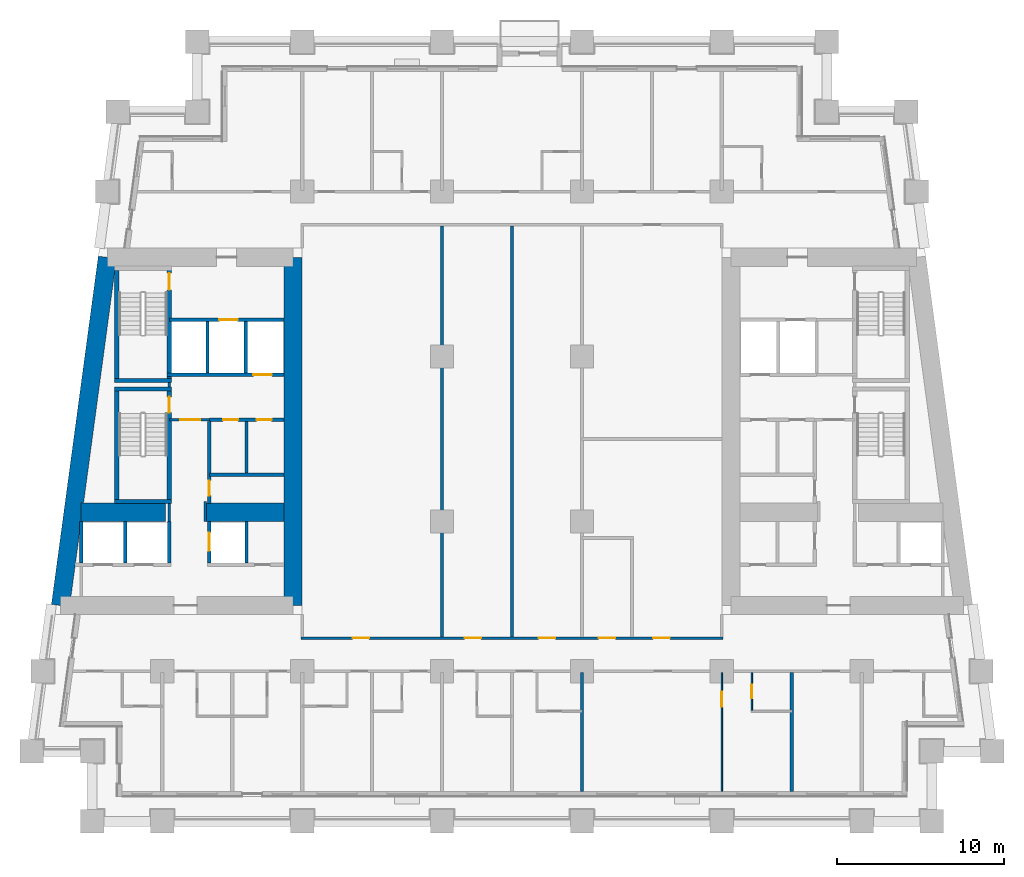
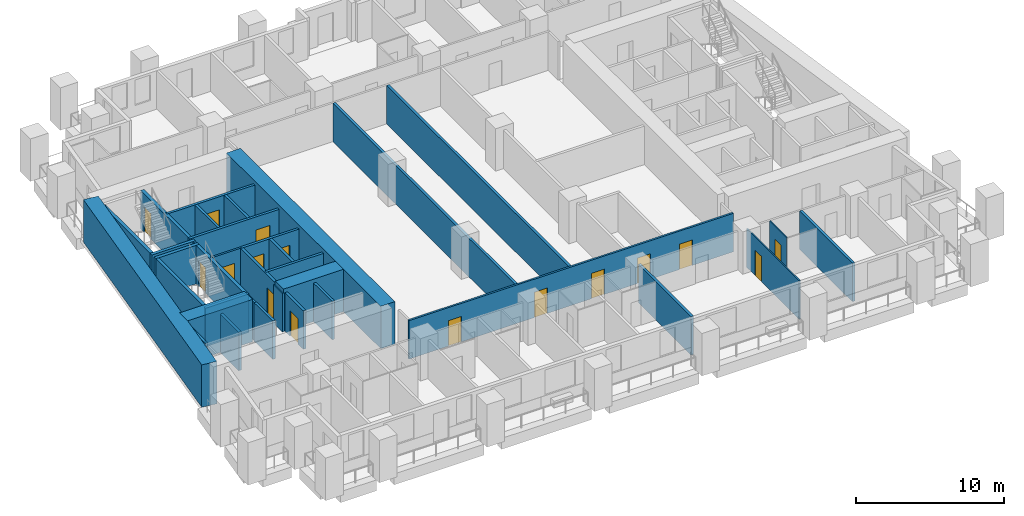
# One storey, part 4 of 13: 35 walls, 16 doors, 16 openings.
"""IFC4 building model written with IfcOpenShell, lengths in metres."""

import ifcopenshell
import ifcopenshell.guid

model = None  # the IFC model being written
_history = None  # IfcOwnerHistory: only IFC2X3 demands one
_inside = {}  # id of a spatial element -> (the spatial element, [elements in it])
_under = {}  # id of a project, library or spatial element -> (it, [spatial elements below it])
_declared = {}  # id of a project -> (the project, [libraries it declares])
_typed = {}  # id of a type object -> (the type object, [elements of that type])
_made_of = {}  # id of a material, layer set ... -> (it, [elements and type objects made of it])


def new_model(schema):
    """Start an empty IFC model of exactly this schema.

    Asked for "IFC4X3", IfcOpenShell would pick the latest addendum, in which some entities
    have other attributes; the version numbers below select the first issue.
    IFC2X3 requires an IfcOwnerHistory on every rooted entity: one is made here for all.
    """
    global model, _history
    if schema == "IFC4X3":
        model = ifcopenshell.file(schema_version=(4, 3, 0, 0))
    else:
        model = ifcopenshell.file(schema=schema)
    _inside.clear()
    _under.clear()
    _declared.clear()
    _typed.clear()
    _made_of.clear()
    _history = None
    if model.schema == "IFC2X3":
        org = make("IfcOrganization", Name="unknown")
        user = make(
            "IfcPersonAndOrganization",
            ThePerson=make("IfcPerson", FamilyName="unknown"),
            TheOrganization=org,
        )
        app = make(
            "IfcApplication",
            ApplicationDeveloper=org,
            Version="unknown",
            ApplicationFullName="unknown",
            ApplicationIdentifier="unknown",
        )
        _history = make(
            "IfcOwnerHistory",
            OwningUser=user,
            OwningApplication=app,
            ChangeAction="ADDED",
            CreationDate=0,
        )
    return model


def make(cls, **values):
    """One entity of the class cls with the attributes given. An attribute that is None is left unset."""
    return model.create_entity(
        cls, **{name: value for name, value in values.items() if value is not None}
    )


def rooted(cls, **values):
    """An entity with a GlobalId (a new one), such as an element, a storey or a relation."""
    return make(cls, GlobalId=ifcopenshell.guid.new(), OwnerHistory=_history, **values)


def si_unit(unit_type, name, prefix=None):
    """IfcSIUnit, for example si_unit("LENGTHUNIT", "METRE", prefix="MILLI")."""
    return make("IfcSIUnit", UnitType=unit_type, Prefix=prefix, Name=name)


def assignment(units):
    """IfcUnitAssignment: the units of a project."""
    return None if units is None else make("IfcUnitAssignment", Units=units)


def point(xyz):
    """IfcCartesianPoint."""
    return None if xyz is None else make("IfcCartesianPoint", Coordinates=xyz)


def direction(xyz):
    """IfcDirection."""
    return None if xyz is None else make("IfcDirection", DirectionRatios=xyz)


def frame(location, z_axis=None, x_axis=None):
    """IfcAxis2Placement3D, a coordinate frame: its origin and axes. An axis left out is left unset."""
    return make(
        "IfcAxis2Placement3D",
        Location=point(location),
        Axis=direction(z_axis),
        RefDirection=direction(x_axis),
    )


def frame_2d(location, x_axis=None):
    """IfcAxis2Placement2D, a coordinate frame in the plane: its origin and x axis."""
    return make(
        "IfcAxis2Placement2D", Location=point(location), RefDirection=direction(x_axis)
    )


def origin():
    """The frame at (0, 0, 0) with its axes left unset."""
    return frame((0.0, 0.0, 0.0))


def place(relative_to, where):
    """IfcLocalPlacement: puts the frame where relative to a parent placement (None: the world)."""
    return make(
        "IfcLocalPlacement", PlacementRelTo=relative_to, RelativePlacement=where
    )


def context(
    kind, dimensions, precision=None, world=None, true_north=None, identifier=None
):
    """IfcGeometricRepresentationContext, for example the 3D "Model" context."""
    return make(
        "IfcGeometricRepresentationContext",
        ContextIdentifier=identifier,
        ContextType=kind,
        CoordinateSpaceDimension=dimensions,
        Precision=precision,
        WorldCoordinateSystem=world,
        TrueNorth=true_north,
    )


def subcontext(parent, identifier, kind, view, scale=None):
    """IfcGeometricRepresentationSubContext, for example "Body" below "Model"."""
    return make(
        "IfcGeometricRepresentationSubContext",
        ContextIdentifier=identifier,
        ContextType=kind,
        ParentContext=parent,
        TargetScale=scale,
        TargetView=view,
    )


def project(units=None, contexts=None):
    """IfcProject with its units and contexts."""
    return rooted(
        "IfcProject",
        Name="project",
        RepresentationContexts=contexts,
        UnitsInContext=assignment(units),
    )


def spatial(cls, under=None, at=None, **own):
    """A site, building, storey or space (cls), placed at a placement, below another one or the project."""
    s = rooted(cls, ObjectPlacement=at, **own)
    if under is not None:
        _under.setdefault(under.id(), (under, []))[1].append(s)
    return s


def profile(cls, at=None, kind="AREA", **sizes):
    """A parametric profile (cls). Its sizes go by their IFC names, for example OverallWidth=200.0."""
    return make(cls, ProfileType=kind, Position=at, **sizes)


def rectangle(**sizes):
    """IfcRectangleProfileDef."""
    return profile("IfcRectangleProfileDef", **sizes)


def extrude(swept, where, along, depth):
    """IfcExtrudedAreaSolid: the profile swept, set in the frame where, extruded along a direction by depth."""
    return make(
        "IfcExtrudedAreaSolid",
        SweptArea=swept,
        Position=where,
        ExtrudedDirection=direction(along),
        Depth=depth,
    )


def shape(context_of_items, identifier, shape_type, items):
    """IfcShapeRepresentation: the items that make up one representation, for example the "Body"."""
    return make(
        "IfcShapeRepresentation",
        ContextOfItems=context_of_items,
        RepresentationIdentifier=identifier,
        RepresentationType=shape_type,
        Items=items,
    )


def material(Name=None, Category=None):
    """IfcMaterial."""
    return make("IfcMaterial", Name=Name, Category=Category)


def layer(
    of_material, thickness, ventilated=None, Name=None, Category=None, Priority=None
):
    """IfcMaterialLayer: one layer of a wall or slab, of a material (None: an air gap)."""
    return make(
        "IfcMaterialLayer",
        Material=of_material,
        LayerThickness=thickness,
        IsVentilated=ventilated,
        Name=Name,
        Category=Category,
        Priority=Priority,
    )


def layer_set(layers, Name=None):
    """IfcMaterialLayerSet."""
    return make("IfcMaterialLayerSet", MaterialLayers=layers, LayerSetName=Name)


def made_of(thing, what):
    """Note that an element or type object is made of a material, layer set ...; save() writes the relation."""
    if what is not None:
        _made_of.setdefault(what.id(), (what, []))[1].append(thing)
    return thing


def type_object(cls, material=None, **own):
    """A type object (cls), such as IfcWallType, which elements share."""
    return made_of(rooted(cls, **own), material)


def element(
    cls,
    number,
    at=None,
    inside=None,
    cuts=None,
    type_object=None,
    material=None,
    context=None,
    identifier="Body",
    shape_type=None,
    held_by="IfcProductDefinitionShape",
    body=None,
    shapes=None,
    **own,
):
    """One element of the class cls, such as IfcWall. Its Tag is "e" and its number.

    at: its placement. inside: the storey or other place that contains it. cuts: it is an
    opening in that element (IfcRelVoidsElement). A single representation is given by context,
    identifier, shape_type and body (its items); several are given by shapes. held_by: the class
    of the entity that holds the representations. save() writes the other relations.
    """
    e = rooted(cls, Tag="e%d" % number, ObjectPlacement=at, **own)
    if body is not None:
        shapes = [shape(context, identifier, shape_type, body)]
    if shapes is not None:
        e.Representation = make(held_by, Representations=shapes)
    if inside is not None:
        _inside.setdefault(inside.id(), (inside, []))[1].append(e)
    if cuts is not None:
        rooted(
            "IfcRelVoidsElement", RelatingBuildingElement=cuts, RelatedOpeningElement=e
        )
    if type_object is not None:
        _typed.setdefault(type_object.id(), (type_object, []))[1].append(e)
    return made_of(e, material)


def fill(opening, filler):
    """IfcRelFillsElement: the door or window that sits in an opening."""
    return rooted(
        "IfcRelFillsElement",
        RelatingOpeningElement=opening,
        RelatedBuildingElement=filler,
    )


def aggregate(whole, parts):
    """IfcRelAggregates: a whole, such as a stair, and the parts it consists of."""
    return rooted("IfcRelAggregates", RelatingObject=whole, RelatedObjects=parts)


def save(model, path):
    """Write the relations noted so far, then the file.

    IfcRelAggregates (storeys below a building ...), IfcRelContainedInSpatialStructure (elements
    in a storey), IfcRelDefinesByType, IfcRelAssociatesMaterial and IfcRelDeclares: one each for
    every whole, place, type object, material and project.
    """
    for whole, parts in _under.values():
        aggregate(whole, parts)
    for where, things in _inside.values():
        rooted(
            "IfcRelContainedInSpatialStructure",
            RelatedElements=things,
            RelatingStructure=where,
        )
    for kind, things in _typed.values():
        rooted("IfcRelDefinesByType", RelatedObjects=things, RelatingType=kind)
    for what, things in _made_of.values():
        rooted("IfcRelAssociatesMaterial", RelatedObjects=things, RelatingMaterial=what)
    for by, libraries in _declared.values():
        rooted("IfcRelDeclares", RelatingContext=by, RelatedDefinitions=libraries)
    model.write(path)


model = new_model("IFC4")

# Units and contexts
model_context = context("Model", 3, precision=1e-05, world=origin(), true_north=direction((0.0, 1.0)))
body_context = subcontext(model_context, "Body", "Model", "MODEL_VIEW")
ifc_project = project(units=[si_unit("LENGTHUNIT", "METRE"), si_unit("AREAUNIT", "SQUARE_METRE"), si_unit("VOLUMEUNIT", "CUBIC_METRE"), si_unit("PLANEANGLEUNIT", "RADIAN"), si_unit("MASSUNIT", "GRAM", prefix="KILO")], contexts=[model_context])

# Site, building, storey
site_placement = place(None, origin())
site = spatial("IfcSite", under=ifc_project, at=site_placement, CompositionType="ELEMENT")
building_placement = place(site_placement, origin())
building = spatial("IfcBuilding", under=site, at=building_placement, Name="Candeia Pilgrim Tower and Theatre", CompositionType="ELEMENT")
storey_placement = place(building_placement, frame((0.0, 0.0, 70.5)))
storey = spatial("IfcBuildingStorey", under=building, at=storey_placement, Name="L15", CompositionType="ELEMENT", Elevation=70.5)

# Walls
ifc_material_1 = material(Name="Concrete C80/95", Category="concrete")
ifc_layer_1 = layer(ifc_material_1, 1.10009765625)
ifc_layer_set_1 = layer_set([ifc_layer_1], Name="Core wall 1100 C80/95")
wall_type_1 = type_object("IfcWallType", Name="Core wall 1100 C80/95", PredefinedType="SHEAR", material=ifc_layer_set_1)
wall_1_placement = place(storey_placement, frame((100.25, 131.85009765625, 0.0), z_axis=(0.0, 0.0, 1.0), x_axis=(0.0, -1.0, 0.0)))
element("IfcWall", 1, at=wall_1_placement, inside=storey, type_object=wall_type_1, Name="Core wall W2", PredefinedType="SHEAR", context=body_context, shape_type="SweptSolid", body=[
    extrude(rectangle(XDim=20.900146484375, YDim=1.10009765625, at=frame_2d((10.4501953125, 0.0))), origin(), (0.0, 0.0, 1.0), 3.5),
])
wall_2_placement = place(storey_placement, frame((86.29833984375, 110.949951171875, 0.0), z_axis=(0.0, 0.0, 1.0), x_axis=(0.133400422634, 0.99106222168, 0.0)))
element("IfcWall", 2, at=wall_2_placement, inside=storey, type_object=wall_type_1, Name="Core wall W4", PredefinedType="SHEAR", context=body_context, shape_type="SweptSolid", body=[
    extrude(rectangle(XDim=21.088623046875, YDim=1.10009765625, at=frame_2d((10.54443359375, 0.0))), origin(), (0.0, 0.0, 1.0), 3.5),
])
wall_3_placement = place(storey_placement, frame((87.523193359375, 116.550048828125, 0.0), z_axis=(0.0, 0.0, 1.0), x_axis=(1.0, 0.0, 0.0)))
element("IfcWall", 3, at=wall_3_placement, inside=storey, type_object=wall_type_1, Name="Core wall W5", PredefinedType="SHEAR", context=body_context, shape_type="SweptSolid", body=[
    extrude(rectangle(XDim=5.076904296875, YDim=1.10009765625, at=frame_2d((2.53857421875, 0.0))), origin(), (0.0, 0.0, 1.0), 3.5),
])
wall_4_placement = place(storey_placement, frame((95.0, 116.550048828125, 0.0), z_axis=(0.0, 0.0, 1.0), x_axis=(1.0, 0.0, 0.0)))
element("IfcWall", 4, at=wall_4_placement, inside=storey, type_object=wall_type_1, Name="Core wall W6", PredefinedType="SHEAR", context=body_context, shape_type="SweptSolid", body=[
    extrude(rectangle(XDim=4.699951171875, YDim=1.10009765625, at=frame_2d((2.35009765625, 0.0))), origin(), (0.0, 0.0, 1.0), 3.5),
])

# Wall, opening, door
ifc_material_2 = material(Name="Gypsum board partition on steel studs", Category="steel")
ifc_layer_2 = layer(ifc_material_2, 0.10009765625)
ifc_layer_set_2 = layer_set([ifc_layer_2], Name="PW-100 room partition")
wall_type_2 = type_object("IfcWallType", Name="PW-100 room partition", PredefinedType="PARTITIONING", material=ifc_layer_set_2)
wall_5_placement = place(storey_placement, frame((126.0, 99.7900390625, 0.0), z_axis=(0.0, 0.0, 1.0), x_axis=(0.0, 1.0, 0.0)))
wall_5 = element("IfcWall", 5, at=wall_5_placement, inside=storey, type_object=wall_type_2, Name="Room partition L15-088", PredefinedType="PARTITIONING", context=body_context, shape_type="SweptSolid", body=[
    extrude(rectangle(XDim=7.135009765625, YDim=0.10009765625, at=frame_2d((3.5673828125, 0.0))), origin(), (0.0, 0.0, 1.0), 3.179931640625),
])
opening_1_placement = place(wall_5_placement, frame((5.074951171875, 0.0, 0.0)))
opening_1 = element("IfcOpeningElement", 6, at=opening_1_placement, cuts=wall_5, Name="Opening L15-D032", PredefinedType="OPENING", context=body_context, shape_type="SweptSolid", body=[
    extrude(rectangle(XDim=0.89990234375, YDim=2.10009765625, at=frame_2d((0.449951171875, 1.050048828125))), frame((0.0, 0.06005859375, 0.0), z_axis=(0.0, -1.0, 0.0), x_axis=(1.0, 0.0, 0.0)), (0.0, 0.0, 1.0), 0.1201171875),
])
ifc_material_3 = material(Name="Timber door leaf", Category="wood")
door_type_1 = type_object("IfcDoorType", Name="D-900", OperationType="NOTDEFINED", PredefinedType="DOOR", material=ifc_material_3)
door_1_placement = place(opening_1_placement, origin())
door_1 = element("IfcDoor", 7, at=door_1_placement, inside=storey, type_object=door_type_1, Name="Door L15-D032", OperationType="SINGLE_SWING_LEFT", OverallHeight=2.10009765625, OverallWidth=0.89990234375, PredefinedType="DOOR", context=body_context, shape_type="SweptSolid", body=[
    extrude(rectangle(XDim=0.89990234375, YDim=2.10009765625, at=frame_2d((0.449951171875, 1.050048828125))), frame((0.0, 0.02490234375, 0.0), z_axis=(0.0, -1.0, 0.0), x_axis=(1.0, 0.0, 0.0)), (0.0, 0.0, 1.0), 0.050048828125),
])
fill(opening_1, door_1)

wall_6_placement = place(storey_placement, frame((127.800048828125, 104.64990234375, 0.0), z_axis=(0.0, 0.0, 1.0), x_axis=(0.0, 1.0, 0.0)))
wall_6 = element("IfcWall", 8, at=wall_6_placement, inside=storey, type_object=wall_type_2, Name="Room partition L15-092", PredefinedType="PARTITIONING", context=body_context, shape_type="SweptSolid", body=[
    extrude(rectangle(XDim=2.275146484375, YDim=0.10009765625, at=frame_2d((1.1376953125, 0.0))), origin(), (0.0, 0.0, 1.0), 3.179931640625),
])
opening_2_placement = place(wall_6_placement, frame((0.75, 0.0, 0.0)))
opening_2 = element("IfcOpeningElement", 9, at=opening_2_placement, cuts=wall_6, Name="Opening L15-D033", PredefinedType="OPENING", context=body_context, shape_type="SweptSolid", body=[
    extrude(rectangle(XDim=0.800048828125, YDim=2.10009765625, at=frame_2d((0.39990234375, 1.050048828125))), frame((0.0, 0.06005859375, 0.0), z_axis=(0.0, -1.0, 0.0), x_axis=(1.0, 0.0, 0.0)), (0.0, 0.0, 1.0), 0.1201171875),
])
door_type_2 = type_object("IfcDoorType", Name="D-800", OperationType="NOTDEFINED", PredefinedType="DOOR", material=ifc_material_3)
door_2_placement = place(opening_2_placement, origin())
door_2 = element("IfcDoor", 10, at=door_2_placement, inside=storey, type_object=door_type_2, Name="Door L15-D033", OperationType="SINGLE_SWING_RIGHT", OverallHeight=2.10009765625, OverallWidth=0.800048828125, PredefinedType="DOOR", context=body_context, shape_type="SweptSolid", body=[
    extrude(rectangle(XDim=0.800048828125, YDim=2.10009765625, at=frame_2d((0.39990234375, 1.050048828125))), frame((0.0, 0.02490234375, 0.0), z_axis=(0.0, -1.0, 0.0), x_axis=(1.0, 0.0, 0.0)), (0.0, 0.0, 1.0), 0.050048828125),
])
fill(opening_2, door_2)

ifc_layer_3 = layer(ifc_material_2, 0.14990234375)
ifc_layer_set_3 = layer_set([ifc_layer_3], Name="PW-150 lobby wall")
wall_type_3 = type_object("IfcWallType", Name="PW-150 lobby wall", PredefinedType="PARTITIONING", material=ifc_layer_set_3)
wall_7_placement = place(storey_placement, frame((92.826904296875, 122.10009765625, 0.0), z_axis=(0.0, 0.0, 1.0), x_axis=(1.0, 0.0, 0.0)))
wall_7 = element("IfcWall", 11, at=wall_7_placement, inside=storey, type_object=wall_type_3, Name="Lobby wall L15-023", PredefinedType="PARTITIONING", context=body_context, shape_type="SweptSolid", body=[
    extrude(rectangle(XDim=2.400146484375, YDim=0.14990234375, at=frame_2d((1.2001953125, 0.0))), origin(), (0.0, 0.0, 1.0), 3.179931640625),
])
opening_3_placement = place(wall_7_placement, frame((0.64990234375, 0.0, 0.0)))
opening_3 = element("IfcOpeningElement", 12, at=opening_3_placement, cuts=wall_7, Name="Opening L15-D001", PredefinedType="OPENING", context=body_context, shape_type="SweptSolid", body=[
    extrude(rectangle(XDim=1.199951171875, YDim=2.10009765625, at=frame_2d((0.60009765625, 1.050048828125))), frame((0.0, 0.0849609375, 0.0), z_axis=(0.0, -1.0, 0.0), x_axis=(1.0, 0.0, 0.0)), (0.0, 0.0, 1.0), 0.169921875),
])
ifc_material_4 = material(Name="Steel fire door set", Category="steel")
door_type_3 = type_object("IfcDoorType", Name="D-1200-FD60", OperationType="NOTDEFINED", PredefinedType="DOOR", material=ifc_material_4)
door_3_placement = place(opening_3_placement, origin())
door_3 = element("IfcDoor", 13, at=door_3_placement, inside=storey, type_object=door_type_3, Name="Door L15-D001", OperationType="SINGLE_SWING_RIGHT", OverallHeight=2.10009765625, OverallWidth=1.199951171875, PredefinedType="DOOR", context=body_context, shape_type="SweptSolid", body=[
    extrude(rectangle(XDim=1.199951171875, YDim=2.10009765625, at=frame_2d((0.60009765625, 1.050048828125))), frame((0.0, 0.02490234375, 0.0), z_axis=(0.0, -1.0, 0.0), x_axis=(1.0, 0.0, 0.0)), (0.0, 0.0, 1.0), 0.050048828125),
])
fill(opening_3, door_3)

# Walls
wall_8_placement = place(storey_placement, frame((92.826904296875, 116.0, 0.0), z_axis=(0.0, 0.0, 1.0), x_axis=(0.0, 1.0, 0.0)))
element("IfcWall", 14, at=wall_8_placement, inside=storey, type_object=wall_type_3, Name="Lobby wall L15-051", PredefinedType="PARTITIONING", context=body_context, shape_type="SweptSolid", body=[
    extrude(rectangle(XDim=1.070068359375, YDim=0.14990234375, at=frame_2d((0.53515625, 0.0))), origin(), (0.0, 0.0, 1.0), 3.179931640625),
])
wall_9_placement = place(storey_placement, frame((92.826904296875, 124.074951171875, 0.0), z_axis=(0.0, 0.0, 1.0), x_axis=(0.0, 1.0, 0.0)))
element("IfcWall", 15, at=wall_9_placement, inside=storey, type_object=wall_type_3, Name="Lobby wall L15-052", PredefinedType="PARTITIONING", context=body_context, shape_type="SweptSolid", body=[
    extrude(rectangle(XDim=0.25, YDim=0.14990234375, at=frame_2d((0.125, 0.0))), origin(), (0.0, 0.0, 1.0), 3.179931640625),
])
wall_10_placement = place(storey_placement, frame((95.0, 116.0, 0.0), z_axis=(0.0, 0.0, 1.0), x_axis=(0.0, 1.0, 0.0)))
element("IfcWall", 16, at=wall_10_placement, inside=storey, type_object=wall_type_3, Name="Lobby wall L15-057", PredefinedType="PARTITIONING", context=body_context, shape_type="SweptSolid", body=[
    extrude(rectangle(XDim=1.199951171875, YDim=0.14990234375, at=frame_2d((0.60009765625, 0.0))), origin(), (0.0, 0.0, 1.0), 3.179931640625),
])

# Wall, openings, doors
ifc_layer_4 = layer(ifc_material_2, 0.14990234375)
ifc_layer_set_4 = layer_set([ifc_layer_4], Name="PW-150 unit wall")
wall_type_4 = type_object("IfcWallType", Name="PW-150 unit wall", PredefinedType="PARTITIONING", material=ifc_layer_set_4)
wall_11_placement = place(storey_placement, frame((100.72509765625, 109.0, 0.0), z_axis=(0.0, 0.0, 1.0), x_axis=(1.0, 0.0, 0.0)))
wall_11 = element("IfcWall", 17, at=wall_11_placement, inside=storey, type_object=wall_type_4, Name="Unit wall L15-010", PredefinedType="PARTITIONING", context=body_context, shape_type="SweptSolid", body=[
    extrude(rectangle(XDim=25.349853515625, YDim=0.14990234375, at=frame_2d((12.6748046875, 0.0))), origin(), (0.0, 0.0, 1.0), 3.179931640625),
])
opening_4_placement = place(wall_11_placement, frame((21.14990234375, 0.0, 0.0)))
opening_4 = element("IfcOpeningElement", 18, at=opening_4_placement, cuts=wall_11, Name="Opening L15-D048", PredefinedType="OPENING", context=body_context, shape_type="SweptSolid", body=[
    extrude(rectangle(XDim=1.0, YDim=2.10009765625, at=frame_2d((0.5, 1.050048828125))), frame((0.0, 0.0849609375, 0.0), z_axis=(0.0, -1.0, 0.0), x_axis=(1.0, 0.0, 0.0)), (0.0, 0.0, 1.0), 0.169921875),
])
opening_5_placement = place(wall_11_placement, frame((3.10498046875, 0.0, 0.0)))
opening_5 = element("IfcOpeningElement", 19, at=opening_5_placement, cuts=wall_11, Name="Opening L15-D049", PredefinedType="OPENING", context=body_context, shape_type="SweptSolid", body=[
    extrude(rectangle(XDim=1.0, YDim=2.10009765625, at=frame_2d((0.5, 1.050048828125))), frame((0.0, 0.0849609375, 0.0), z_axis=(0.0, -1.0, 0.0), x_axis=(1.0, 0.0, 0.0)), (0.0, 0.0, 1.0), 0.169921875),
])
opening_6_placement = place(wall_11_placement, frame((9.824951171875, 0.0, 0.0)))
opening_6 = element("IfcOpeningElement", 20, at=opening_6_placement, cuts=wall_11, Name="Opening L15-D050", PredefinedType="OPENING", context=body_context, shape_type="SweptSolid", body=[
    extrude(rectangle(XDim=1.0, YDim=2.10009765625, at=frame_2d((0.5, 1.050048828125))), frame((0.0, 0.0849609375, 0.0), z_axis=(0.0, -1.0, 0.0), x_axis=(1.0, 0.0, 0.0)), (0.0, 0.0, 1.0), 0.169921875),
])
opening_7_placement = place(wall_11_placement, frame((14.27490234375, 0.0, 0.0)))
opening_7 = element("IfcOpeningElement", 21, at=opening_7_placement, cuts=wall_11, Name="Opening L15-D051", PredefinedType="OPENING", context=body_context, shape_type="SweptSolid", body=[
    extrude(rectangle(XDim=1.0, YDim=2.10009765625, at=frame_2d((0.5, 1.050048828125))), frame((0.0, 0.0849609375, 0.0), z_axis=(0.0, -1.0, 0.0), x_axis=(1.0, 0.0, 0.0)), (0.0, 0.0, 1.0), 0.169921875),
])
opening_8_placement = place(wall_11_placement, frame((17.875, 0.0, 0.0)))
opening_8 = element("IfcOpeningElement", 22, at=opening_8_placement, cuts=wall_11, Name="Opening L15-D052", PredefinedType="OPENING", context=body_context, shape_type="SweptSolid", body=[
    extrude(rectangle(XDim=1.0, YDim=2.10009765625, at=frame_2d((0.5, 1.050048828125))), frame((0.0, 0.0849609375, 0.0), z_axis=(0.0, -1.0, 0.0), x_axis=(1.0, 0.0, 0.0)), (0.0, 0.0, 1.0), 0.169921875),
])
door_type_4 = type_object("IfcDoorType", Name="D-1000-FD30S", OperationType="NOTDEFINED", PredefinedType="DOOR", material=ifc_material_4)
door_4_placement = place(opening_4_placement, origin())
door_4 = element("IfcDoor", 23, at=door_4_placement, inside=storey, type_object=door_type_4, Name="Door L15-D048", OperationType="SINGLE_SWING_LEFT", OverallHeight=2.10009765625, OverallWidth=1.0, PredefinedType="DOOR", context=body_context, shape_type="SweptSolid", body=[
    extrude(rectangle(XDim=1.0, YDim=2.10009765625, at=frame_2d((0.5, 1.050048828125))), frame((0.0, 0.02490234375, 0.0), z_axis=(0.0, -1.0, 0.0), x_axis=(1.0, 0.0, 0.0)), (0.0, 0.0, 1.0), 0.050048828125),
])
fill(opening_4, door_4)
door_5_placement = place(opening_5_placement, origin())
door_5 = element("IfcDoor", 24, at=door_5_placement, inside=storey, type_object=door_type_4, Name="Door L15-D049", OperationType="SINGLE_SWING_RIGHT", OverallHeight=2.10009765625, OverallWidth=1.0, PredefinedType="DOOR", context=body_context, shape_type="SweptSolid", body=[
    extrude(rectangle(XDim=1.0, YDim=2.10009765625, at=frame_2d((0.5, 1.050048828125))), frame((0.0, 0.02490234375, 0.0), z_axis=(0.0, -1.0, 0.0), x_axis=(1.0, 0.0, 0.0)), (0.0, 0.0, 1.0), 0.050048828125),
])
fill(opening_5, door_5)
door_6_placement = place(opening_6_placement, origin())
door_6 = element("IfcDoor", 25, at=door_6_placement, inside=storey, type_object=door_type_4, Name="Door L15-D050", OperationType="SINGLE_SWING_LEFT", OverallHeight=2.10009765625, OverallWidth=1.0, PredefinedType="DOOR", context=body_context, shape_type="SweptSolid", body=[
    extrude(rectangle(XDim=1.0, YDim=2.10009765625, at=frame_2d((0.5, 1.050048828125))), frame((0.0, 0.02490234375, 0.0), z_axis=(0.0, -1.0, 0.0), x_axis=(1.0, 0.0, 0.0)), (0.0, 0.0, 1.0), 0.050048828125),
])
fill(opening_6, door_6)
door_7_placement = place(opening_7_placement, origin())
door_7 = element("IfcDoor", 26, at=door_7_placement, inside=storey, type_object=door_type_4, Name="Door L15-D051", OperationType="SINGLE_SWING_RIGHT", OverallHeight=2.10009765625, OverallWidth=1.0, PredefinedType="DOOR", context=body_context, shape_type="SweptSolid", body=[
    extrude(rectangle(XDim=1.0, YDim=2.10009765625, at=frame_2d((0.5, 1.050048828125))), frame((0.0, 0.02490234375, 0.0), z_axis=(0.0, -1.0, 0.0), x_axis=(1.0, 0.0, 0.0)), (0.0, 0.0, 1.0), 0.050048828125),
])
fill(opening_7, door_7)
door_8_placement = place(opening_8_placement, origin())
door_8 = element("IfcDoor", 27, at=door_8_placement, inside=storey, type_object=door_type_4, Name="Door L15-D052", OperationType="SINGLE_SWING_LEFT", OverallHeight=2.10009765625, OverallWidth=1.0, PredefinedType="DOOR", context=body_context, shape_type="SweptSolid", body=[
    extrude(rectangle(XDim=1.0, YDim=2.10009765625, at=frame_2d((0.5, 1.050048828125))), frame((0.0, 0.02490234375, 0.0), z_axis=(0.0, -1.0, 0.0), x_axis=(1.0, 0.0, 0.0)), (0.0, 0.0, 1.0), 0.050048828125),
])
fill(opening_8, door_8)

# Walls
ifc_layer_5 = layer(ifc_material_2, 0.199951171875)
ifc_layer_set_5 = layer_set([ifc_layer_5], Name="PW-200 party wall")
wall_type_5 = type_object("IfcWallType", Name="PW-200 party wall", PredefinedType="PARTITIONING", material=ifc_layer_set_5)
for number, where, z_axis, x_axis, name in (
    (28, (109.199951171875, 109.074951171875, 0.0), (0.0, 0.0, 1.0), (0.0, 1.0, 0.0), "Party wall L15-076"),
    (29, (113.39990234375, 109.074951171875, 0.0), (0.0, 0.0, 1.0), (0.0, 1.0, 0.0), "Party wall L15-080"),
):
    element("IfcWall", number, at=place(storey_placement, frame(where, z_axis=z_axis, x_axis=x_axis)), inside=storey, type_object=wall_type_5, Name=name, PredefinedType="PARTITIONING", context=body_context, shape_type="SweptSolid", body=[
        extrude(rectangle(XDim=24.650146484375, YDim=0.199951171875, at=frame_2d((12.3251953125, 0.0))), origin(), (0.0, 0.0, 1.0), 3.179931640625),
    ])
for number, where, z_axis, x_axis, name in (
    (30, (117.60009765625, 99.7900390625, 0.0), (0.0, 0.0, 1.0), (0.0, 1.0, 0.0), "Party wall L15-083"),
    (31, (130.199951171875, 99.7900390625, 0.0), (0.0, 0.0, 1.0), (0.0, 1.0, 0.0), "Party wall L15-097"),
):
    element("IfcWall", number, at=place(storey_placement, frame(where, z_axis=z_axis, x_axis=x_axis)), inside=storey, type_object=wall_type_5, Name=name, PredefinedType="PARTITIONING", context=body_context, shape_type="SweptSolid", body=[
        extrude(rectangle(XDim=7.135009765625, YDim=0.199951171875, at=frame_2d((3.5673828125, 0.0))), origin(), (0.0, 0.0, 1.0), 3.179931640625),
    ])
ifc_material_5 = material(Name="Concrete C40/50", Category="concrete")
ifc_layer_6 = layer(ifc_material_5, 0.199951171875)
ifc_layer_set_6 = layer_set([ifc_layer_6], Name="SW-200 shaft wall")
wall_type_6 = type_object("IfcWallType", Name="SW-200 shaft wall", PredefinedType="PARTITIONING", material=ifc_layer_set_6)
wall_12_placement = place(storey_placement, frame((95.22705078125, 118.800048828125, 0.0), z_axis=(0.0, 0.0, 1.0), x_axis=(1.0, 0.0, 0.0)))
element("IfcWall", 32, at=wall_12_placement, inside=storey, type_object=wall_type_6, Name="Shaft wall L15-018", PredefinedType="PARTITIONING", context=body_context, shape_type="SweptSolid", body=[
    extrude(rectangle(XDim=4.472900390625, YDim=0.199951171875, at=frame_2d((2.236328125, 0.0))), origin(), (0.0, 0.0, 1.0), 3.179931640625),
])

# Wall, openings, doors
wall_13_placement = place(storey_placement, frame((95.22705078125, 122.10009765625, 0.0), z_axis=(0.0, 0.0, 1.0), x_axis=(1.0, 0.0, 0.0)))
wall_13 = element("IfcWall", 33, at=wall_13_placement, inside=storey, type_object=wall_type_6, Name="Shaft wall L15-021", PredefinedType="PARTITIONING", context=body_context, shape_type="SweptSolid", body=[
    extrude(rectangle(XDim=4.472900390625, YDim=0.199951171875, at=frame_2d((2.236328125, 0.0))), origin(), (0.0, 0.0, 1.0), 3.179931640625),
])
opening_9_placement = place(wall_13_placement, frame((0.826904296875, 0.0, 0.0)))
opening_9 = element("IfcOpeningElement", 34, at=opening_9_placement, cuts=wall_13, Name="Opening L15-D002", PredefinedType="OPENING", context=body_context, shape_type="SweptSolid", body=[
    extrude(rectangle(XDim=0.89990234375, YDim=2.10009765625, at=frame_2d((0.449951171875, 1.050048828125))), frame((0.0, 0.10986328125, 0.0), z_axis=(0.0, -1.0, 0.0), x_axis=(1.0, 0.0, 0.0)), (0.0, 0.0, 1.0), 0.219970703125),
])
opening_10_placement = place(wall_13_placement, frame((2.841064453125, 0.0, 0.0)))
opening_10 = element("IfcOpeningElement", 35, at=opening_10_placement, cuts=wall_13, Name="Opening L15-D003", PredefinedType="OPENING", context=body_context, shape_type="SweptSolid", body=[
    extrude(rectangle(XDim=0.89990234375, YDim=2.10009765625, at=frame_2d((0.449951171875, 1.050048828125))), frame((0.0, 0.10986328125, 0.0), z_axis=(0.0, -1.0, 0.0), x_axis=(1.0, 0.0, 0.0)), (0.0, 0.0, 1.0), 0.219970703125),
])
door_type_5 = type_object("IfcDoorType", Name="D-900-FD60", OperationType="NOTDEFINED", PredefinedType="DOOR", material=ifc_material_4)
door_9_placement = place(opening_9_placement, origin())
door_9 = element("IfcDoor", 36, at=door_9_placement, inside=storey, type_object=door_type_5, Name="Door L15-D002", OperationType="SINGLE_SWING_LEFT", OverallHeight=2.10009765625, OverallWidth=0.89990234375, PredefinedType="DOOR", context=body_context, shape_type="SweptSolid", body=[
    extrude(rectangle(XDim=0.89990234375, YDim=2.10009765625, at=frame_2d((0.449951171875, 1.050048828125))), frame((0.0, 0.02490234375, 0.0), z_axis=(0.0, -1.0, 0.0), x_axis=(1.0, 0.0, 0.0)), (0.0, 0.0, 1.0), 0.050048828125),
])
fill(opening_9, door_9)
door_10_placement = place(opening_10_placement, origin())
door_10 = element("IfcDoor", 37, at=door_10_placement, inside=storey, type_object=door_type_5, Name="Door L15-D003", OperationType="SINGLE_SWING_RIGHT", OverallHeight=2.10009765625, OverallWidth=0.89990234375, PredefinedType="DOOR", context=body_context, shape_type="SweptSolid", body=[
    extrude(rectangle(XDim=0.89990234375, YDim=2.10009765625, at=frame_2d((0.449951171875, 1.050048828125))), frame((0.0, 0.02490234375, 0.0), z_axis=(0.0, -1.0, 0.0), x_axis=(1.0, 0.0, 0.0)), (0.0, 0.0, 1.0), 0.050048828125),
])
fill(opening_10, door_10)

# Wall, opening, door
wall_14_placement = place(storey_placement, frame((92.701904296875, 124.800048828125, 0.0), z_axis=(0.0, 0.0, 1.0), x_axis=(1.0, 0.0, 0.0)))
wall_14 = element("IfcWall", 38, at=wall_14_placement, inside=storey, type_object=wall_type_6, Name="Shaft wall L15-029", PredefinedType="PARTITIONING", context=body_context, shape_type="SweptSolid", body=[
    extrude(rectangle(XDim=6.998046875, YDim=0.199951171875, at=frame_2d((3.4990234375, 0.0))), origin(), (0.0, 0.0, 1.0), 3.179931640625),
])
opening_11_placement = place(wall_14_placement, frame((5.179931640625, 0.0, 0.0)))
opening_11 = element("IfcOpeningElement", 39, at=opening_11_placement, cuts=wall_14, Name="Opening L15-LD02", PredefinedType="OPENING", context=body_context, shape_type="SweptSolid", body=[
    extrude(rectangle(XDim=1.10009765625, YDim=2.10009765625, at=frame_2d((0.550048828125, 1.050048828125))), frame((0.0, 0.10986328125, 0.0), z_axis=(0.0, -1.0, 0.0), x_axis=(1.0, 0.0, 0.0)), (0.0, 0.0, 1.0), 0.219970703125),
])
ifc_material_6 = material(Name="Glazed aluminium landing door", Category="aluminium")
door_type_6 = type_object("IfcDoorType", Name="LD-1100-EI120", OperationType="SLIDING_TO_LEFT", PredefinedType="DOOR", material=ifc_material_6)
door_11_placement = place(opening_11_placement, origin())
door_11 = element("IfcDoor", 40, at=door_11_placement, inside=storey, type_object=door_type_6, Name="Landing door 02 L15", OperationType="SLIDING_TO_LEFT", OverallHeight=2.10009765625, OverallWidth=1.10009765625, PredefinedType="DOOR", context=body_context, shape_type="SweptSolid", body=[
    extrude(rectangle(XDim=1.10009765625, YDim=2.10009765625, at=frame_2d((0.550048828125, 1.050048828125))), frame((0.0, 0.02490234375, 0.0), z_axis=(0.0, -1.0, 0.0), x_axis=(1.0, 0.0, 0.0)), (0.0, 0.0, 1.0), 0.050048828125),
])
fill(opening_11, door_11)

wall_15_placement = place(storey_placement, frame((92.826904296875, 128.10009765625, 0.0), z_axis=(0.0, 0.0, 1.0), x_axis=(1.0, 0.0, 0.0)))
wall_15 = element("IfcWall", 41, at=wall_15_placement, inside=storey, type_object=wall_type_6, Name="Shaft wall L15-032", PredefinedType="PARTITIONING", context=body_context, shape_type="SweptSolid", body=[
    extrude(rectangle(XDim=6.873046875, YDim=0.199951171875, at=frame_2d((3.4365234375, 0.0))), origin(), (0.0, 0.0, 1.0), 3.179931640625),
])
opening_12_placement = place(wall_15_placement, frame((3.009033203125, 0.0, 0.0)))
opening_12 = element("IfcOpeningElement", 42, at=opening_12_placement, cuts=wall_15, Name="Opening L15-LD01", PredefinedType="OPENING", context=body_context, shape_type="SweptSolid", body=[
    extrude(rectangle(XDim=1.10009765625, YDim=2.10009765625, at=frame_2d((0.550048828125, 1.050048828125))), frame((0.0, 0.10986328125, 0.0), z_axis=(0.0, -1.0, 0.0), x_axis=(1.0, 0.0, 0.0)), (0.0, 0.0, 1.0), 0.219970703125),
])
door_12_placement = place(opening_12_placement, origin())
door_12 = element("IfcDoor", 43, at=door_12_placement, inside=storey, type_object=door_type_6, Name="Landing door 01 L15", OperationType="SLIDING_TO_LEFT", OverallHeight=2.10009765625, OverallWidth=1.10009765625, PredefinedType="DOOR", context=body_context, shape_type="SweptSolid", body=[
    extrude(rectangle(XDim=1.10009765625, YDim=2.10009765625, at=frame_2d((0.550048828125, 1.050048828125))), frame((0.0, 0.02490234375, 0.0), z_axis=(0.0, -1.0, 0.0), x_axis=(1.0, 0.0, 0.0)), (0.0, 0.0, 1.0), 0.050048828125),
])
fill(opening_12, door_12)

# Walls
for number, where, z_axis, x_axis, name in (
    (44, (87.552001953125, 113.5, 0.0), (0.0, 0.0, 1.0), (0.0, 1.0, 0.0), "Shaft wall L15-043"),
    (45, (90.178466796875, 113.5, 0.0), (0.0, 0.0, 1.0), (0.0, 1.0, 0.0), "Shaft wall L15-048"),
    (46, (92.826904296875, 113.5, 0.0), (0.0, 0.0, 1.0), (0.0, 1.0, 0.0), "Shaft wall L15-050"),
):
    element("IfcWall", number, at=place(storey_placement, frame(where, z_axis=z_axis, x_axis=x_axis)), inside=storey, type_object=wall_type_6, Name=name, PredefinedType="PARTITIONING", context=body_context, shape_type="SweptSolid", body=[
        extrude(rectangle(XDim=2.5, YDim=0.199951171875, at=frame_2d((1.25, 0.0))), origin(), (0.0, 0.0, 1.0), 3.179931640625),
    ])
wall_16_placement = place(storey_placement, frame((95.117919921875, 124.89990234375, 0.0), z_axis=(0.0, 0.0, 1.0), x_axis=(0.0, 1.0, 0.0)))
element("IfcWall", 47, at=wall_16_placement, inside=storey, type_object=wall_type_6, Name="Shaft wall L15-058", PredefinedType="PARTITIONING", context=body_context, shape_type="SweptSolid", body=[
    extrude(rectangle(XDim=3.10009765625, YDim=0.199951171875, at=frame_2d((1.550048828125, 0.0))), origin(), (0.0, 0.0, 1.0), 3.179931640625),
])

# Wall, opening, door
wall_17_placement = place(storey_placement, frame((95.22705078125, 113.5, 0.0), z_axis=(0.0, 0.0, 1.0), x_axis=(0.0, 1.0, 0.0)))
wall_17 = element("IfcWall", 48, at=wall_17_placement, inside=storey, type_object=wall_type_6, Name="Shaft wall L15-059", PredefinedType="PARTITIONING", context=body_context, shape_type="SweptSolid", body=[
    extrude(rectangle(XDim=2.5, YDim=0.199951171875, at=frame_2d((1.25, 0.0))), origin(), (0.0, 0.0, 1.0), 3.179931640625),
])
opening_13_placement = place(wall_17_placement, frame((0.72998046875, 0.0, 0.0)))
opening_13 = element("IfcOpeningElement", 49, at=opening_13_placement, cuts=wall_17, Name="Opening L15-LD05", PredefinedType="OPENING", context=body_context, shape_type="SweptSolid", body=[
    extrude(rectangle(XDim=1.10009765625, YDim=2.10009765625, at=frame_2d((0.550048828125, 1.050048828125))), frame((0.0, 0.10986328125, 0.0), z_axis=(0.0, -1.0, 0.0), x_axis=(1.0, 0.0, 0.0)), (0.0, 0.0, 1.0), 0.219970703125),
])
door_13_placement = place(opening_13_placement, origin())
door_13 = element("IfcDoor", 50, at=door_13_placement, inside=storey, type_object=door_type_6, Name="Landing door 05 L15", OperationType="SLIDING_TO_LEFT", OverallHeight=2.10009765625, OverallWidth=1.10009765625, PredefinedType="DOOR", context=body_context, shape_type="SweptSolid", body=[
    extrude(rectangle(XDim=1.10009765625, YDim=2.10009765625, at=frame_2d((0.550048828125, 1.050048828125))), frame((0.0, 0.02490234375, 0.0), z_axis=(0.0, -1.0, 0.0), x_axis=(1.0, 0.0, 0.0)), (0.0, 0.0, 1.0), 0.050048828125),
])
fill(opening_13, door_13)

wall_18_placement = place(storey_placement, frame((95.22705078125, 117.070068359375, 0.0), z_axis=(0.0, 0.0, 1.0), x_axis=(0.0, 1.0, 0.0)))
wall_18 = element("IfcWall", 51, at=wall_18_placement, inside=storey, type_object=wall_type_6, Name="Shaft wall L15-060", PredefinedType="PARTITIONING", context=body_context, shape_type="SweptSolid", body=[
    extrude(rectangle(XDim=4.929931640625, YDim=0.199951171875, at=frame_2d((2.46484375, 0.0))), origin(), (0.0, 0.0, 1.0), 3.179931640625),
])
opening_14_placement = place(wall_18_placement, frame((0.47998046875, 0.0, 0.0)))
opening_14 = element("IfcOpeningElement", 52, at=opening_14_placement, cuts=wall_18, Name="Opening L15-D006", PredefinedType="OPENING", context=body_context, shape_type="SweptSolid", body=[
    extrude(rectangle(XDim=0.89990234375, YDim=2.10009765625, at=frame_2d((0.449951171875, 1.050048828125))), frame((0.0, 0.10986328125, 0.0), z_axis=(0.0, -1.0, 0.0), x_axis=(1.0, 0.0, 0.0)), (0.0, 0.0, 1.0), 0.219970703125),
])
door_14_placement = place(opening_14_placement, origin())
door_14 = element("IfcDoor", 53, at=door_14_placement, inside=storey, type_object=door_type_5, Name="Door L15-D006", OperationType="SINGLE_SWING_LEFT", OverallHeight=2.10009765625, OverallWidth=0.89990234375, PredefinedType="DOOR", context=body_context, shape_type="SweptSolid", body=[
    extrude(rectangle(XDim=0.89990234375, YDim=2.10009765625, at=frame_2d((0.449951171875, 1.050048828125))), frame((0.0, 0.02490234375, 0.0), z_axis=(0.0, -1.0, 0.0), x_axis=(1.0, 0.0, 0.0)), (0.0, 0.0, 1.0), 0.050048828125),
])
fill(opening_14, door_14)

# Walls
wall_19_placement = place(storey_placement, frame((97.408935546875, 124.89990234375, 0.0), z_axis=(0.0, 0.0, 1.0), x_axis=(0.0, 1.0, 0.0)))
element("IfcWall", 54, at=wall_19_placement, inside=storey, type_object=wall_type_6, Name="Shaft wall L15-062", PredefinedType="PARTITIONING", context=body_context, shape_type="SweptSolid", body=[
    extrude(rectangle(XDim=3.10009765625, YDim=0.199951171875, at=frame_2d((1.550048828125, 0.0))), origin(), (0.0, 0.0, 1.0), 3.179931640625),
])
wall_20_placement = place(storey_placement, frame((97.46337890625, 113.5, 0.0), z_axis=(0.0, 0.0, 1.0), x_axis=(0.0, 1.0, 0.0)))
element("IfcWall", 55, at=wall_20_placement, inside=storey, type_object=wall_type_6, Name="Shaft wall L15-063", PredefinedType="PARTITIONING", context=body_context, shape_type="SweptSolid", body=[
    extrude(rectangle(XDim=2.5, YDim=0.199951171875, at=frame_2d((1.25, 0.0))), origin(), (0.0, 0.0, 1.0), 3.179931640625),
])
wall_21_placement = place(storey_placement, frame((97.46337890625, 118.89990234375, 0.0), z_axis=(0.0, 0.0, 1.0), x_axis=(0.0, 1.0, 0.0)))
element("IfcWall", 56, at=wall_21_placement, inside=storey, type_object=wall_type_6, Name="Shaft wall L15-064", PredefinedType="PARTITIONING", context=body_context, shape_type="SweptSolid", body=[
    extrude(rectangle(XDim=3.10009765625, YDim=0.199951171875, at=frame_2d((1.550048828125, 0.0))), origin(), (0.0, 0.0, 1.0), 3.179931640625),
])
ifc_layer_7 = layer(ifc_material_5, 0.25)
ifc_layer_set_7 = layer_set([ifc_layer_7], Name="SW-250 stair wall")
wall_type_7 = type_object("IfcWallType", Name="SW-250 stair wall", PredefinedType="PARTITIONING", material=ifc_layer_set_7)
for number, where, z_axis, x_axis, name in (
    (57, (89.552001953125, 117.199951171875, 0.0), (0.0, 0.0, 1.0), (1.0, 0.0, 0.0), "Stair wall L15-016"),
    (58, (89.552001953125, 123.949951171875, 0.0), (0.0, 0.0, 1.0), (1.0, 0.0, 0.0), "Stair wall L15-025"),
    (59, (89.552001953125, 124.449951171875, 0.0), (0.0, 0.0, 1.0), (1.0, 0.0, 0.0), "Stair wall L15-027"),
):
    element("IfcWall", number, at=place(storey_placement, frame(where, z_axis=z_axis, x_axis=x_axis)), inside=storey, type_object=wall_type_7, Name=name, PredefinedType="PARTITIONING", context=body_context, shape_type="SweptSolid", body=[
        extrude(rectangle(XDim=3.39990234375, YDim=0.25, at=frame_2d((1.699951171875, 0.0))), origin(), (0.0, 0.0, 1.0), 3.179931640625),
    ])
wall_22_placement = place(storey_placement, frame((89.677001953125, 117.070068359375, 0.0), z_axis=(0.0, 0.0, 1.0), x_axis=(0.0, 1.0, 0.0)))
element("IfcWall", 60, at=wall_22_placement, inside=storey, type_object=wall_type_7, Name="Stair wall L15-045", PredefinedType="PARTITIONING", context=body_context, shape_type="SweptSolid", body=[
    extrude(rectangle(XDim=6.7548828125, YDim=0.25, at=frame_2d((3.37744140625, 0.0))), origin(), (0.0, 0.0, 1.0), 3.179931640625),
])
wall_23_placement = place(storey_placement, frame((89.677001953125, 124.574951171875, 0.0), z_axis=(0.0, 0.0, 1.0), x_axis=(0.0, 1.0, 0.0)))
element("IfcWall", 61, at=wall_23_placement, inside=storey, type_object=wall_type_7, Name="Stair wall L15-046", PredefinedType="PARTITIONING", context=body_context, shape_type="SweptSolid", body=[
    extrude(rectangle(XDim=6.5, YDim=0.25, at=frame_2d((3.25, 0.0))), origin(), (0.0, 0.0, 1.0), 3.179931640625),
])

# Wall, opening, door
wall_24_placement = place(storey_placement, frame((92.826904296875, 117.070068359375, 0.0), z_axis=(0.0, 0.0, 1.0), x_axis=(0.0, 1.0, 0.0)))
wall_24 = element("IfcWall", 62, at=wall_24_placement, inside=storey, type_object=wall_type_7, Name="Stair wall L15-053", PredefinedType="PARTITIONING", context=body_context, shape_type="SweptSolid", body=[
    extrude(rectangle(XDim=6.7548828125, YDim=0.25, at=frame_2d((3.37744140625, 0.0))), origin(), (0.0, 0.0, 1.0), 3.179931640625),
])
opening_15_placement = place(wall_24_placement, frame((5.455078125, 0.0, 0.0)))
opening_15 = element("IfcOpeningElement", 63, at=opening_15_placement, cuts=wall_24, Name="Opening L15-D004", PredefinedType="OPENING", context=body_context, shape_type="SweptSolid", body=[
    extrude(rectangle(XDim=0.949951171875, YDim=2.10009765625, at=frame_2d((0.47509765625, 1.050048828125))), frame((0.0, 0.135009765625, 0.0), z_axis=(0.0, -1.0, 0.0), x_axis=(1.0, 0.0, 0.0)), (0.0, 0.0, 1.0), 0.27001953125),
])
door_type_7 = type_object("IfcDoorType", Name="D-950-FD60", OperationType="NOTDEFINED", PredefinedType="DOOR", material=ifc_material_4)
door_15_placement = place(opening_15_placement, origin())
door_15 = element("IfcDoor", 64, at=door_15_placement, inside=storey, type_object=door_type_7, Name="Door L15-D004", OperationType="SINGLE_SWING_LEFT", OverallHeight=2.10009765625, OverallWidth=0.949951171875, PredefinedType="DOOR", context=body_context, shape_type="SweptSolid", body=[
    extrude(rectangle(XDim=0.949951171875, YDim=2.10009765625, at=frame_2d((0.47509765625, 1.050048828125))), frame((0.0, 0.02490234375, 0.0), z_axis=(0.0, -1.0, 0.0), x_axis=(1.0, 0.0, 0.0)), (0.0, 0.0, 1.0), 0.050048828125),
])
fill(opening_15, door_15)

wall_25_placement = place(storey_placement, frame((92.826904296875, 124.574951171875, 0.0), z_axis=(0.0, 0.0, 1.0), x_axis=(0.0, 1.0, 0.0)))
wall_25 = element("IfcWall", 65, at=wall_25_placement, inside=storey, type_object=wall_type_7, Name="Stair wall L15-054", PredefinedType="PARTITIONING", context=body_context, shape_type="SweptSolid", body=[
    extrude(rectangle(XDim=6.755126953125, YDim=0.25, at=frame_2d((3.37744140625, 0.0))), origin(), (0.0, 0.0, 1.0), 3.179931640625),
])
opening_16_placement = place(wall_25_placement, frame((5.324951171875, 0.0, 0.0)))
opening_16 = element("IfcOpeningElement", 66, at=opening_16_placement, cuts=wall_25, Name="Opening L15-D005", PredefinedType="OPENING", context=body_context, shape_type="SweptSolid", body=[
    extrude(rectangle(XDim=1.0, YDim=2.10009765625, at=frame_2d((0.5, 1.050048828125))), frame((0.0, 0.135009765625, 0.0), z_axis=(0.0, -1.0, 0.0), x_axis=(1.0, 0.0, 0.0)), (0.0, 0.0, 1.0), 0.27001953125),
])
door_type_8 = type_object("IfcDoorType", Name="D-1000-FD60", OperationType="NOTDEFINED", PredefinedType="DOOR", material=ifc_material_4)
door_16_placement = place(opening_16_placement, origin())
door_16 = element("IfcDoor", 67, at=door_16_placement, inside=storey, type_object=door_type_8, Name="Door L15-D005", OperationType="SINGLE_SWING_RIGHT", OverallHeight=2.10009765625, OverallWidth=1.0, PredefinedType="DOOR", context=body_context, shape_type="SweptSolid", body=[
    extrude(rectangle(XDim=1.0, YDim=2.10009765625, at=frame_2d((0.5, 1.050048828125))), frame((0.0, 0.02490234375, 0.0), z_axis=(0.0, -1.0, 0.0), x_axis=(1.0, 0.0, 0.0)), (0.0, 0.0, 1.0), 0.050048828125),
])
fill(opening_16, door_16)

save(model, "model.ifc")
